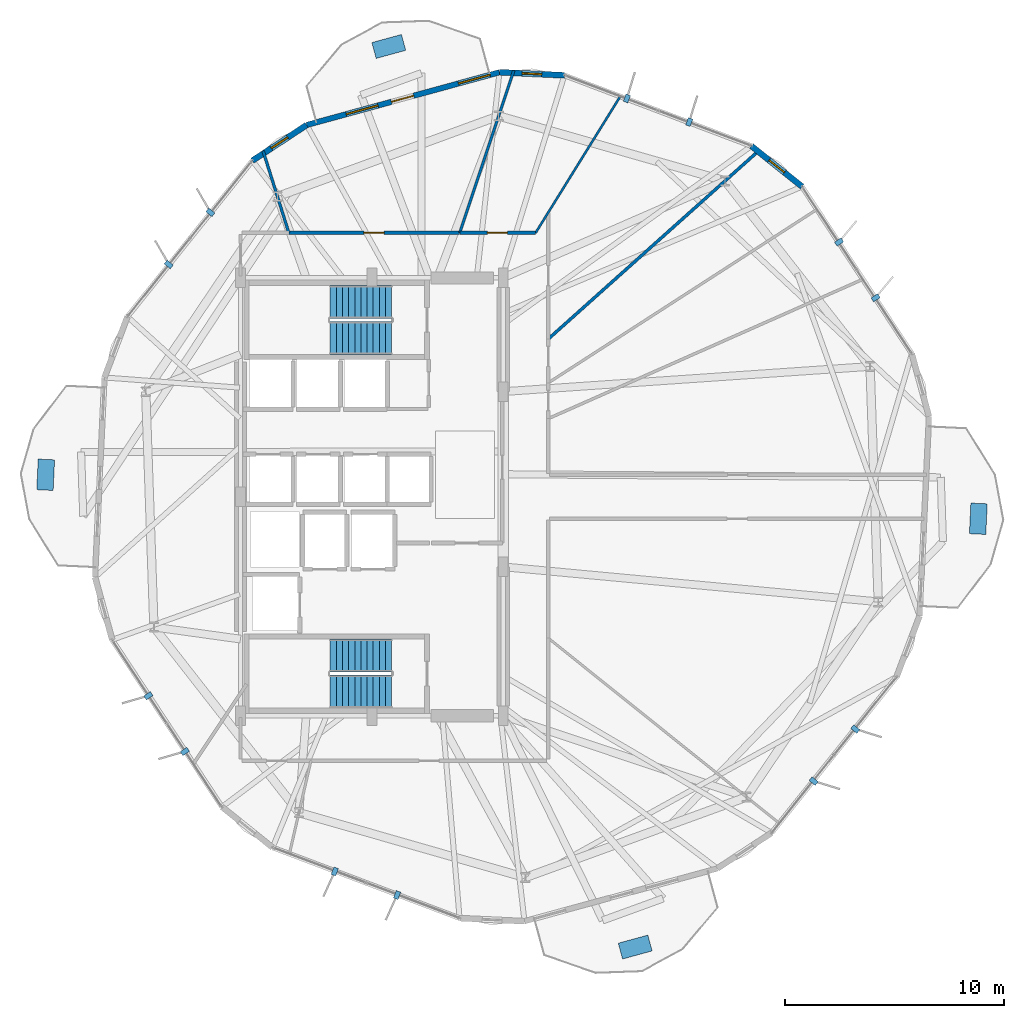
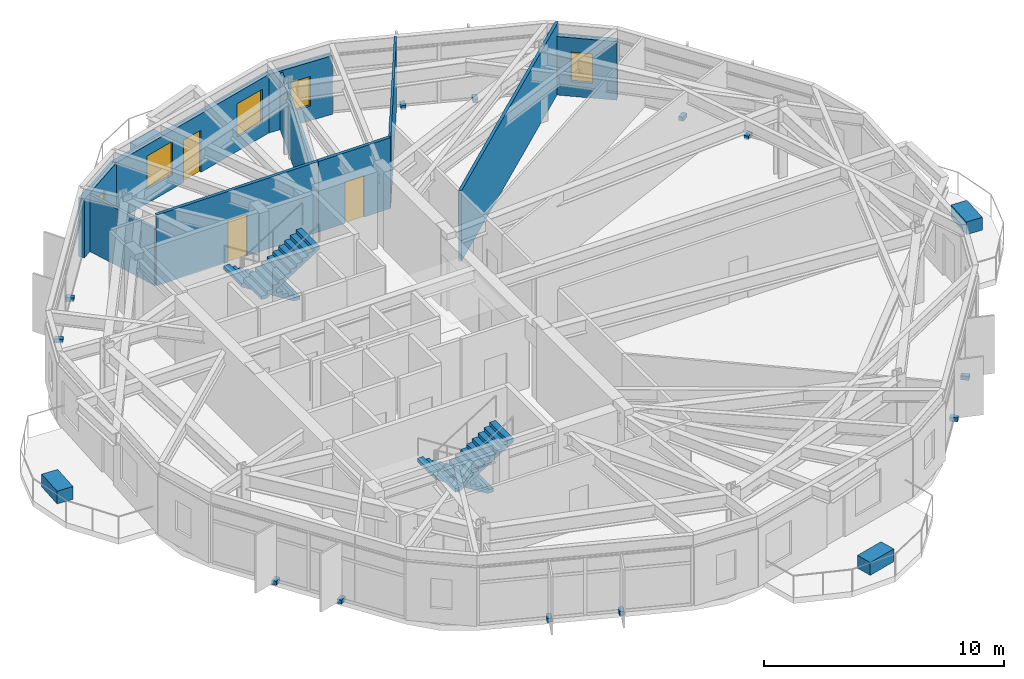
# One storey, part 22 of 25: 16 discrete accessories, 10 walls, 5 windows, 4 stair flights, 3 doors, 8 openings, 2 elements without a shape of their own.
"""IFC4 building model written with IfcOpenShell, lengths in metres."""

from ifc_helpers import new_model, si_unit, direction, frame, frame_2d, origin, origin_2d, place, context, subcontext, project, spatial, polyline, rectangle, outline, extrude, material, layer, layer_set, type_object, element, fill, aggregate, save


model = new_model("IFC4")

# Units and contexts
model_context = context("Model", 3, precision=1e-05, world=origin(), true_north=direction((0.0, 1.0)))
body_context = subcontext(model_context, "Body", "Model", "MODEL_VIEW")
ifc_project = project(units=[si_unit("LENGTHUNIT", "METRE"), si_unit("AREAUNIT", "SQUARE_METRE"), si_unit("VOLUMEUNIT", "CUBIC_METRE"), si_unit("PLANEANGLEUNIT", "RADIAN"), si_unit("MASSUNIT", "GRAM", prefix="KILO")], contexts=[model_context])

# Site, building, storey
site_placement = place(None, origin())
site = spatial("IfcSite", under=ifc_project, at=site_placement, CompositionType="ELEMENT")
building_placement = place(site_placement, origin())
building = spatial("IfcBuilding", under=site, at=building_placement, Name="Soratama Intermodal Tower", CompositionType="ELEMENT")
storey_placement = place(building_placement, frame((0.0, 0.0, 87.39990234375)))
storey = spatial("IfcBuildingStorey", under=building, at=storey_placement, Name="L20", CompositionType="ELEMENT", Elevation=87.39990234375)

# Wall, openings, door, windows
ifc_material_1 = material(Name="Concrete f'c 42 MPa", Category="concrete")
ifc_layer_1 = layer(ifc_material_1, 0.25)
ifc_layer_set_1 = layer_set([ifc_layer_1], Name="Concrete f'c 42 MPa")
wall_type_1 = type_object("IfcWallType", Name="EW-BAL-250", PredefinedType="SOLIDWALL", material=ifc_layer_set_1)
wall_1_placement = place(storey_placement, frame((44.42919921875, 44.385498046875, 0.0), z_axis=(0.0, 0.0, 1.0), x_axis=(-0.964553074607, -0.263888927894, 0.0)))
wall_1 = element("IfcWall", 1, at=wall_1_placement, inside=storey, type_object=wall_type_1, Name="L20 Terrace Wall F03", PredefinedType="SOLIDWALL", context=body_context, shape_type="SweptSolid", body=[
    extrude(rectangle(XDim=9.129638671875, YDim=0.25, at=frame_2d((4.56494140625, 0.0))), origin(), (0.0, 0.0, 1.0), 2.97900390625),
])
opening_1_placement = place(wall_1_placement, frame((4.064697265625, 0.0, 0.0)))
opening_1 = element("IfcOpeningElement", 2, at=opening_1_placement, cuts=wall_1, Name="Opening ED-5", PredefinedType="OPENING", context=body_context, shape_type="SweptSolid", body=[
    extrude(rectangle(XDim=1.050048828125, YDim=2.14990234375, at=frame_2d((0.52490234375, 1.074951171875))), frame((0.0, 0.135009765625, 0.0), z_axis=(0.0, -1.0, 0.0), x_axis=(1.0, 0.0, 0.0)), (0.0, 0.0, 1.0), 0.27001953125),
])
opening_2_placement = place(wall_1_placement, frame((0.43994140625, 0.0, 0.719970703125)))
opening_2 = element("IfcOpeningElement", 3, at=opening_2_placement, cuts=wall_1, Name="Opening WN-1", PredefinedType="OPENING", context=body_context, shape_type="SweptSolid", body=[
    extrude(rectangle(XDim=1.5, YDim=1.699951171875, at=frame_2d((0.75, 0.85009765625))), frame((0.0, 0.135009765625, 0.0), z_axis=(0.0, -1.0, 0.0), x_axis=(1.0, 0.0, 0.0)), (0.0, 0.0, 1.0), 0.27001953125),
])
opening_3_placement = place(wall_1_placement, frame((5.7548828125, 0.0, 0.719970703125)))
opening_3 = element("IfcOpeningElement", 4, at=opening_3_placement, cuts=wall_1, Name="Opening WN-1", PredefinedType="OPENING", context=body_context, shape_type="SweptSolid", body=[
    extrude(rectangle(XDim=1.5, YDim=1.699951171875, at=frame_2d((0.75, 0.85009765625))), frame((0.0, 0.135009765625, 0.0), z_axis=(0.0, -1.0, 0.0), x_axis=(1.0, 0.0, 0.0)), (0.0, 0.0, 1.0), 0.27001953125),
])
ifc_material_2 = material(Name="Double-glazed aluminium door", Category="aluminium")
door_type_1 = type_object("IfcDoorType", Name="DR-BAL-1050", OperationType="NOTDEFINED", PredefinedType="DOOR", material=ifc_material_2)
door_1_placement = place(opening_1_placement, origin())
door_1 = element("IfcDoor", 5, at=door_1_placement, inside=storey, type_object=door_type_1, Name="L20 Balcony Door F03", OperationType="SINGLE_SWING_LEFT", OverallHeight=2.14990234375, OverallWidth=1.050048828125, PredefinedType="DOOR", context=body_context, shape_type="SweptSolid", body=[
    extrude(rectangle(XDim=1.050048828125, YDim=2.14990234375, at=frame_2d((0.52490234375, 1.074951171875))), frame((0.0, 0.02490234375, 0.0), z_axis=(0.0, -1.0, 0.0), x_axis=(1.0, 0.0, 0.0)), (0.0, 0.0, 1.0), 0.050048828125),
])
fill(opening_1, door_1)
ifc_material_3 = material(Name="Double-glazed aluminium window", Category="aluminium")
window_type_1 = type_object("IfcWindowType", Name="WN-FAC-1500", PartitioningType="SINGLE_PANEL", PredefinedType="WINDOW", material=ifc_material_3)
window_1_placement = place(opening_2_placement, origin())
window_1 = element("IfcWindow", 6, at=window_1_placement, inside=storey, type_object=window_type_1, Name="L20 Window A F03", OverallHeight=1.699951171875, OverallWidth=1.5, PartitioningType="SINGLE_PANEL", PredefinedType="WINDOW", context=body_context, shape_type="SweptSolid", body=[
    extrude(rectangle(XDim=1.5, YDim=1.699951171875, at=frame_2d((0.75, 0.85009765625))), frame((0.0, 0.030029296875, 0.0), z_axis=(0.0, -1.0, 0.0), x_axis=(1.0, 0.0, 0.0)), (0.0, 0.0, 1.0), 0.06005859375),
])
fill(opening_2, window_1)
window_2_placement = place(opening_3_placement, origin())
window_2 = element("IfcWindow", 7, at=window_2_placement, inside=storey, type_object=window_type_1, Name="L20 Window B F03", OverallHeight=1.699951171875, OverallWidth=1.5, PartitioningType="SINGLE_PANEL", PredefinedType="WINDOW", context=body_context, shape_type="SweptSolid", body=[
    extrude(rectangle(XDim=1.5, YDim=1.699951171875, at=frame_2d((0.75, 0.85009765625))), frame((0.0, 0.030029296875, 0.0), z_axis=(0.0, -1.0, 0.0), x_axis=(1.0, 0.0, 0.0)), (0.0, 0.0, 1.0), 0.06005859375),
])
fill(opening_3, window_2)

# Wall, opening, window
ifc_material_4 = material(Name="Concrete f'c 42 MPa", Category="concrete")
ifc_layer_2 = layer(ifc_material_4, 0.27001953125)
ifc_layer_set_2 = layer_set([ifc_layer_2], Name="Concrete f'c 42 MPa")
wall_type_2 = type_object("IfcWallType", Name="EW-CRN-270", PredefinedType="SOLIDWALL", material=ifc_layer_set_2)
wall_2_placement = place(storey_placement, frame((58.247802734375, 39.163818359375, 0.0), z_axis=(0.0, 0.0, 1.0), x_axis=(-0.780443081308, 0.625226836307, 0.0)))
wall_2 = element("IfcWall", 8, at=wall_2_placement, inside=storey, type_object=wall_type_2, Name="L20 Corner Closure Wall 01", PredefinedType="SOLIDWALL", context=body_context, shape_type="SweptSolid", body=[
    extrude(rectangle(XDim=2.966552734375, YDim=0.27001953125, at=frame_2d((1.4833984375, 0.0))), origin(), (0.0, 0.0, 1.0), 2.97900390625),
])
opening_4_placement = place(wall_2_placement, frame((1.033203125, 0.0, 0.75)))
opening_4 = element("IfcOpeningElement", 9, at=opening_4_placement, cuts=wall_2, Name="Opening WN-6", PredefinedType="OPENING", context=body_context, shape_type="SweptSolid", body=[
    extrude(rectangle(XDim=0.89990234375, YDim=1.5, at=frame_2d((0.449951171875, 0.75))), frame((0.0, 0.14501953125, 0.0), z_axis=(0.0, -1.0, 0.0), x_axis=(1.0, 0.0, 0.0)), (0.0, 0.0, 1.0), 0.2900390625),
])
ifc_material_5 = material(Name="Double-glazed aluminium window", Category="aluminium")
window_type_2 = type_object("IfcWindowType", Name="WN-FAC-900", PartitioningType="SINGLE_PANEL", PredefinedType="WINDOW", material=ifc_material_5)
window_3_placement = place(opening_4_placement, origin())
window_3 = element("IfcWindow", 10, at=window_3_placement, inside=storey, type_object=window_type_2, Name="L20 Corner Window 01", OverallHeight=1.5, OverallWidth=0.89990234375, PartitioningType="SINGLE_PANEL", PredefinedType="WINDOW", context=body_context, shape_type="SweptSolid", body=[
    extrude(rectangle(XDim=0.89990234375, YDim=1.5, at=frame_2d((0.449951171875, 0.75))), frame((0.0, 0.030029296875, 0.0), z_axis=(0.0, -1.0, 0.0), x_axis=(1.0, 0.0, 0.0)), (0.0, 0.0, 1.0), 0.06005859375),
])
fill(opening_4, window_3)

wall_3_placement = place(storey_placement, frame((47.392578125, 44.24560546875, 0.0), z_axis=(0.0, 0.0, 1.0), x_axis=(-0.998887602896, 0.04715460508, 0.0)))
wall_3 = element("IfcWall", 11, at=wall_3_placement, inside=storey, type_object=wall_type_2, Name="L20 Corner Closure Wall 02", PredefinedType="SOLIDWALL", context=body_context, shape_type="SweptSolid", body=[
    extrude(rectangle(XDim=2.966796875, YDim=0.27001953125, at=frame_2d((1.4833984375, 0.0))), origin(), (0.0, 0.0, 1.0), 2.97900390625),
])
opening_5_placement = place(wall_3_placement, frame((1.033203125, 0.0, 0.75)))
opening_5 = element("IfcOpeningElement", 12, at=opening_5_placement, cuts=wall_3, Name="Opening WN-6", PredefinedType="OPENING", context=body_context, shape_type="SweptSolid", body=[
    extrude(rectangle(XDim=0.89990234375, YDim=1.5, at=frame_2d((0.449951171875, 0.75))), frame((0.0, 0.14501953125, 0.0), z_axis=(0.0, -1.0, 0.0), x_axis=(1.0, 0.0, 0.0)), (0.0, 0.0, 1.0), 0.2900390625),
])
window_4_placement = place(opening_5_placement, origin())
window_4 = element("IfcWindow", 13, at=window_4_placement, inside=storey, type_object=window_type_2, Name="L20 Corner Window 02", OverallHeight=1.5, OverallWidth=0.89990234375, PartitioningType="SINGLE_PANEL", PredefinedType="WINDOW", context=body_context, shape_type="SweptSolid", body=[
    extrude(rectangle(XDim=0.89990234375, YDim=1.5, at=frame_2d((0.449951171875, 0.75))), frame((0.0, 0.030029296875, 0.0), z_axis=(0.0, -1.0, 0.0), x_axis=(1.0, 0.0, 0.0)), (0.0, 0.0, 1.0), 0.06005859375),
])
fill(opening_5, window_4)

wall_4_placement = place(storey_placement, frame((35.623291015625, 41.976318359375, 0.0), z_axis=(0.0, 0.0, 1.0), x_axis=(-0.835816616247, -0.549008728533, 0.0)))
wall_4 = element("IfcWall", 14, at=wall_4_placement, inside=storey, type_object=wall_type_2, Name="L20 Corner Closure Wall 03", PredefinedType="SOLIDWALL", context=body_context, shape_type="SweptSolid", body=[
    extrude(rectangle(XDim=2.966552734375, YDim=0.27001953125, at=frame_2d((1.4833984375, 0.0))), origin(), (0.0, 0.0, 1.0), 2.97900390625),
])
opening_6_placement = place(wall_4_placement, frame((1.033203125, 0.0, 0.75)))
opening_6 = element("IfcOpeningElement", 15, at=opening_6_placement, cuts=wall_4, Name="Opening WN-6", PredefinedType="OPENING", context=body_context, shape_type="SweptSolid", body=[
    extrude(rectangle(XDim=0.89990234375, YDim=1.5, at=frame_2d((0.449951171875, 0.75))), frame((0.0, 0.14501953125, 0.0), z_axis=(0.0, -1.0, 0.0), x_axis=(1.0, 0.0, 0.0)), (0.0, 0.0, 1.0), 0.2900390625),
])
window_5_placement = place(opening_6_placement, origin())
window_5 = element("IfcWindow", 16, at=window_5_placement, inside=storey, type_object=window_type_2, Name="L20 Corner Window 03", OverallHeight=1.5, OverallWidth=0.89990234375, PartitioningType="SINGLE_PANEL", PredefinedType="WINDOW", context=body_context, shape_type="SweptSolid", body=[
    extrude(rectangle(XDim=0.89990234375, YDim=1.5, at=frame_2d((0.449951171875, 0.75))), frame((0.0, 0.030029296875, 0.0), z_axis=(0.0, -1.0, 0.0), x_axis=(1.0, 0.0, 0.0)), (0.0, 0.0, 1.0), 0.06005859375),
])
fill(opening_6, window_5)

# Wall, opening, door
ifc_material_6 = material(Name="Fire-rated gypsum stud partition", Category="concrete")
ifc_layer_3 = layer(ifc_material_6, 0.14990234375)
ifc_layer_set_3 = layer_set([ifc_layer_3], Name="Fire-rated gypsum stud partition")
wall_type_3 = type_object("IfcWallType", Name="IW-PART-R150", PredefinedType="PARTITIONING", material=ifc_layer_set_3)
wall_5_placement = place(storey_placement, frame((34.81005859375, 37.050048828125, 0.0), z_axis=(0.0, 0.0, 1.0), x_axis=(1.0, 0.0, 0.0)))
wall_5 = element("IfcWall", 17, at=wall_5_placement, inside=storey, type_object=wall_type_3, Name="L20 Partition W-L20-TP009", PredefinedType="PARTITIONING", context=body_context, shape_type="SweptSolid", body=[
    extrude(rectangle(XDim=7.803955078125, YDim=0.14990234375, at=frame_2d((3.90185546875, 0.0))), origin(), (0.0, 0.0, 1.0), 3.60009765625),
])
opening_7_placement = place(wall_5_placement, frame((3.427001953125, 0.0, 0.0)))
opening_7 = element("IfcOpeningElement", 18, at=opening_7_placement, cuts=wall_5, Name="Opening ID-6", PredefinedType="OPENING", context=body_context, shape_type="SweptSolid", body=[
    extrude(rectangle(XDim=0.919921875, YDim=2.1201171875, at=frame_2d((0.4599609375, 1.06005859375))), frame((0.0, 0.0849609375, 0.0), z_axis=(0.0, -1.0, 0.0), x_axis=(1.0, 0.0, 0.0)), (0.0, 0.0, 1.0), 0.169921875),
])
ifc_material_7 = material(Name="Solid hardwood acoustic door", Category="wood")
door_type_2 = type_object("IfcDoorType", Name="DR-ROOM-920", OperationType="NOTDEFINED", PredefinedType="DOOR", material=ifc_material_7)
door_2_placement = place(opening_7_placement, origin())
door_2 = element("IfcDoor", 19, at=door_2_placement, inside=storey, type_object=door_type_2, Name="L20 Door D-L20-TP004", OperationType="SINGLE_SWING_LEFT", OverallHeight=2.1201171875, OverallWidth=0.919921875, PredefinedType="DOOR", context=body_context, shape_type="SweptSolid", body=[
    extrude(rectangle(XDim=0.919921875, YDim=2.1201171875, at=frame_2d((0.4599609375, 1.06005859375))), frame((0.0, 0.02490234375, 0.0), z_axis=(0.0, -1.0, 0.0), x_axis=(1.0, 0.0, 0.0)), (0.0, 0.0, 1.0), 0.050048828125),
])
fill(opening_7, door_2)

wall_6_placement = place(storey_placement, frame((42.614013671875, 37.050048828125, 0.0), z_axis=(0.0, 0.0, 1.0), x_axis=(1.0, 0.0, 0.0)))
wall_6 = element("IfcWall", 20, at=wall_6_placement, inside=storey, type_object=wall_type_3, Name="L20 Partition W-L20-TP018", PredefinedType="PARTITIONING", context=body_context, shape_type="SweptSolid", body=[
    extrude(rectangle(XDim=3.462890625, YDim=0.14990234375, at=frame_2d((1.7314453125, 0.0))), origin(), (0.0, 0.0, 1.0), 3.60009765625),
])
opening_8_placement = place(wall_6_placement, frame((1.257080078125, 0.0, 0.0)))
opening_8 = element("IfcOpeningElement", 21, at=opening_8_placement, cuts=wall_6, Name="Opening ID-6", PredefinedType="OPENING", context=body_context, shape_type="SweptSolid", body=[
    extrude(rectangle(XDim=0.919921875, YDim=2.1201171875, at=frame_2d((0.4599609375, 1.06005859375))), frame((0.0, 0.0849609375, 0.0), z_axis=(0.0, -1.0, 0.0), x_axis=(1.0, 0.0, 0.0)), (0.0, 0.0, 1.0), 0.169921875),
])
door_3_placement = place(opening_8_placement, origin())
door_3 = element("IfcDoor", 22, at=door_3_placement, inside=storey, type_object=door_type_2, Name="L20 Door D-L20-TP007", OperationType="SINGLE_SWING_RIGHT", OverallHeight=2.1201171875, OverallWidth=0.919921875, PredefinedType="DOOR", context=body_context, shape_type="SweptSolid", body=[
    extrude(rectangle(XDim=0.919921875, YDim=2.1201171875, at=frame_2d((0.4599609375, 1.06005859375))), frame((0.0, 0.02490234375, 0.0), z_axis=(0.0, -1.0, 0.0), x_axis=(1.0, 0.0, 0.0)), (0.0, 0.0, 1.0), 0.050048828125),
])
fill(opening_8, door_3)

# Walls
ifc_material_8 = material(Name="Fire-rated gypsum stud partition", Category="concrete")
ifc_layer_4 = layer(ifc_material_8, 0.10009765625)
ifc_layer_set_4 = layer_set([ifc_layer_4], Name="Fire-rated gypsum stud partition")
wall_type_4 = type_object("IfcWallType", Name="IW-PART-S100", PredefinedType="PARTITIONING", material=ifc_layer_set_4)
wall_7_placement = place(storey_placement, frame((46.076904296875, 37.050048828125, 0.0), z_axis=(0.0, 0.0, 1.0), x_axis=(0.527273368445, 0.849695707256, 0.0)))
element("IfcWall", 23, at=wall_7_placement, inside=storey, type_object=wall_type_4, Name="L20 Partition W-L20-TP010", PredefinedType="PARTITIONING", context=body_context, shape_type="SweptSolid", body=[
    extrude(rectangle(XDim=7.334228515625, YDim=0.10009765625, at=frame_2d((3.6669921875, 0.0))), origin(), (0.0, 0.0, 1.0), 3.60009765625),
])
ifc_material_9 = material(Name="Fire-rated gypsum stud partition", Category="concrete")
ifc_layer_5 = layer(ifc_material_9, 0.1201171875)
ifc_layer_set_5 = layer_set([ifc_layer_5], Name="Fire-rated gypsum stud partition")
wall_type_5 = type_object("IfcWallType", Name="IW-PART-S120", PredefinedType="PARTITIONING", material=ifc_layer_set_5)
wall_8_placement = place(storey_placement, frame((42.614013671875, 37.050048828125, 0.0), z_axis=(0.0, 0.0, 1.0), x_axis=(0.316115189383, 0.948720816174, 0.0)))
element("IfcWall", 24, at=wall_8_placement, inside=storey, type_object=wall_type_5, Name="L20 Partition W-L20-TP008", PredefinedType="PARTITIONING", context=body_context, shape_type="SweptSolid", body=[
    extrude(rectangle(XDim=7.807373046875, YDim=0.1201171875, at=frame_2d((3.90380859375, 0.0))), origin(), (0.0, 0.0, 1.0), 2.89501953125),
])
ifc_material_10 = material(Name="Fire-rated gypsum stud partition", Category="concrete")
ifc_layer_6 = layer(ifc_material_10, 0.1298828125)
ifc_layer_set_6 = layer_set([ifc_layer_6], Name="Fire-rated gypsum stud partition")
wall_type_6 = type_object("IfcWallType", Name="IW-PART-S130", PredefinedType="PARTITIONING", material=ifc_layer_set_6)
wall_9_placement = place(storey_placement, frame((34.81005859375, 37.050048828125, 0.0), z_axis=(0.0, 0.0, 1.0), x_axis=(-0.300049924384, 0.953923499489, 0.0)))
element("IfcWall", 25, at=wall_9_placement, inside=storey, type_object=wall_type_6, Name="L20 Partition W-L20-TP017", PredefinedType="PARTITIONING", context=body_context, shape_type="SweptSolid", body=[
    extrude(rectangle(XDim=3.922607421875, YDim=0.1298828125, at=frame_2d((1.96142578125, 0.0))), origin(), (0.0, 0.0, 1.0), 2.89501953125),
])
ifc_material_11 = material(Name="Fire-rated gypsum stud partition", Category="concrete")
ifc_layer_7 = layer(ifc_material_11, 0.139892578125)
ifc_layer_set_7 = layer_set([ifc_layer_7], Name="Fire-rated gypsum stud partition")
wall_type_7 = type_object("IfcWallType", Name="IW-PART-S140", PredefinedType="PARTITIONING", material=ifc_layer_set_7)
wall_10_placement = place(storey_placement, frame((46.64990234375, 32.198974609375, 0.0), z_axis=(0.0, 0.0, 1.0), x_axis=(0.745385521988, 0.666633650223, 0.0)))
element("IfcWall", 26, at=wall_10_placement, inside=storey, type_object=wall_type_7, Name="L20 Partition W-L20-TP006", PredefinedType="PARTITIONING", context=body_context, shape_type="SweptSolid", body=[
    extrude(rectangle(XDim=12.927490234375, YDim=0.139892578125, at=frame_2d((6.4638671875, 0.0))), origin(), (0.0, 0.0, 1.0), 3.60009765625),
])

# Stair, stair flights
ifc_material_12 = material(Name="Concrete f'c 42 MPa", Category="concrete")
stair_type = type_object("IfcStairType", Name="ST-CORE-DOGLEG", PredefinedType="HALF_TURN_STAIR", material=ifc_material_12)
stair_1_placement = place(storey_placement, origin())
stair_1 = element("IfcStair", 27, at=stair_1_placement, inside=storey, type_object=stair_type, Name="L20 ST-1", PredefinedType="HALF_TURN_STAIR")
ifc_material_13 = material(Name="Precast concrete f'c 40 MPa", Category="concrete")
ifc_layer_8 = layer(ifc_material_13, 0.199951171875)
ifc_layer_set_8 = layer_set([ifc_layer_8], Name="Precast concrete f'c 40 MPa")
stair_flight_type = type_object("IfcStairFlightType", Name="SF-FLIGHT-RC", PredefinedType="STRAIGHT", material=ifc_layer_set_8)
stair_flight_1_placement = place(storey_placement, frame((39.5, 17.75, 0.0), z_axis=(0.0, 0.0, 1.0), x_axis=(-1.0, 0.0, 0.0)))
stair_flight_1 = element("IfcStairFlight", 28, at=stair_flight_1_placement, type_object=stair_flight_type, Name="ST-1 flight 1", NumberOfRisers=11, NumberOfTreads=10, PredefinedType="STRAIGHT", RiserHeight=0.177272727, TreadLength=0.28, context=body_context, shape_type="SweptSolid", body=[
    extrude(outline(polyline([(0.0, 0.0), (0.0, 0.17724609375), (0.280029296875, 0.17724609375), (0.280029296875, 0.3544921875), (0.56005859375, 0.3544921875), (0.56005859375, 0.53173828125), (0.840087890625, 0.53173828125), (0.840087890625, 0.708984375), (1.1201171875, 0.708984375), (1.1201171875, 0.886474609375), (1.39990234375, 0.886474609375), (1.39990234375, 1.063720703125), (1.679931640625, 1.063720703125), (1.679931640625, 1.240966796875), (1.9599609375, 1.240966796875), (1.9599609375, 1.418212890625), (2.239990234375, 1.418212890625), (2.239990234375, 1.595458984375), (2.52001953125, 1.595458984375), (2.52001953125, 1.772705078125), (2.800048828125, 1.772705078125), (2.800048828125, 1.949951171875), (2.800048828125, 1.59521484375), (0.2802734375, 0.0), (0.0, 0.0)])), frame((0.0, 0.75, 0.0), z_axis=(0.0, -1.0, 0.0), x_axis=(1.0, 0.0, 0.0)), (0.0, 0.0, 1.0), 1.5),
])
stair_flight_2_placement = place(storey_placement, frame((36.699951171875, 16.10009765625, 1.9501953125), z_axis=(0.0, 0.0, 1.0), x_axis=(1.0, 0.0, 0.0)))
stair_flight_2 = element("IfcStairFlight", 29, at=stair_flight_2_placement, type_object=stair_flight_type, Name="ST-1 flight 2", NumberOfRisers=11, NumberOfTreads=10, PredefinedType="STRAIGHT", RiserHeight=0.177272727, TreadLength=0.28, context=body_context, shape_type="SweptSolid", body=[
    extrude(outline(polyline([(0.0, 0.0), (0.0, 0.17724609375), (0.280029296875, 0.17724609375), (0.280029296875, 0.3544921875), (0.56005859375, 0.3544921875), (0.56005859375, 0.53173828125), (0.840087890625, 0.53173828125), (0.840087890625, 0.708984375), (1.1201171875, 0.708984375), (1.1201171875, 0.886474609375), (1.39990234375, 0.886474609375), (1.39990234375, 1.063720703125), (1.679931640625, 1.063720703125), (1.679931640625, 1.240966796875), (1.9599609375, 1.240966796875), (1.9599609375, 1.418212890625), (2.239990234375, 1.418212890625), (2.239990234375, 1.595458984375), (2.52001953125, 1.595458984375), (2.52001953125, 1.772705078125), (2.800048828125, 1.772705078125), (2.800048828125, 1.949951171875), (2.800048828125, 1.59521484375), (0.2802734375, 0.0), (0.0, 0.0)])), frame((0.0, 0.75, 0.0), z_axis=(0.0, -1.0, 0.0), x_axis=(1.0, 0.0, 0.0)), (0.0, 0.0, 1.0), 1.5),
])
aggregate(stair_1, [stair_flight_1, stair_flight_2])

stair_2_placement = place(storey_placement, origin())
stair_2 = element("IfcStair", 30, at=stair_2_placement, inside=storey, type_object=stair_type, Name="L20 ST-2", PredefinedType="HALF_TURN_STAIR")
stair_flight_3_placement = place(storey_placement, frame((39.5, 33.89990234375, 0.0), z_axis=(0.0, 0.0, 1.0), x_axis=(-1.0, 0.0, 0.0)))
stair_flight_3 = element("IfcStairFlight", 31, at=stair_flight_3_placement, type_object=stair_flight_type, Name="ST-2 flight 1", NumberOfRisers=11, NumberOfTreads=10, PredefinedType="STRAIGHT", RiserHeight=0.177272727, TreadLength=0.28, context=body_context, shape_type="SweptSolid", body=[
    extrude(outline(polyline([(0.0, 0.0), (0.0, 0.17724609375), (0.280029296875, 0.17724609375), (0.280029296875, 0.3544921875), (0.56005859375, 0.3544921875), (0.56005859375, 0.53173828125), (0.840087890625, 0.53173828125), (0.840087890625, 0.708984375), (1.1201171875, 0.708984375), (1.1201171875, 0.886474609375), (1.39990234375, 0.886474609375), (1.39990234375, 1.063720703125), (1.679931640625, 1.063720703125), (1.679931640625, 1.240966796875), (1.9599609375, 1.240966796875), (1.9599609375, 1.418212890625), (2.239990234375, 1.418212890625), (2.239990234375, 1.595458984375), (2.52001953125, 1.595458984375), (2.52001953125, 1.772705078125), (2.800048828125, 1.772705078125), (2.800048828125, 1.949951171875), (2.800048828125, 1.59521484375), (0.2802734375, 0.0), (0.0, 0.0)])), frame((0.0, 0.75, 0.0), z_axis=(0.0, -1.0, 0.0), x_axis=(1.0, 0.0, 0.0)), (0.0, 0.0, 1.0), 1.5),
])
stair_flight_4_placement = place(storey_placement, frame((36.699951171875, 32.25, 1.9501953125), z_axis=(0.0, 0.0, 1.0), x_axis=(1.0, 0.0, 0.0)))
stair_flight_4 = element("IfcStairFlight", 32, at=stair_flight_4_placement, type_object=stair_flight_type, Name="ST-2 flight 2", NumberOfRisers=11, NumberOfTreads=10, PredefinedType="STRAIGHT", RiserHeight=0.177272727, TreadLength=0.28, context=body_context, shape_type="SweptSolid", body=[
    extrude(outline(polyline([(0.0, 0.0), (0.0, 0.17724609375), (0.280029296875, 0.17724609375), (0.280029296875, 0.3544921875), (0.56005859375, 0.3544921875), (0.56005859375, 0.53173828125), (0.840087890625, 0.53173828125), (0.840087890625, 0.708984375), (1.1201171875, 0.708984375), (1.1201171875, 0.886474609375), (1.39990234375, 0.886474609375), (1.39990234375, 1.063720703125), (1.679931640625, 1.063720703125), (1.679931640625, 1.240966796875), (1.9599609375, 1.240966796875), (1.9599609375, 1.418212890625), (2.239990234375, 1.418212890625), (2.239990234375, 1.595458984375), (2.52001953125, 1.595458984375), (2.52001953125, 1.772705078125), (2.800048828125, 1.772705078125), (2.800048828125, 1.949951171875), (2.800048828125, 1.59521484375), (0.2802734375, 0.0), (0.0, 0.0)])), frame((0.0, 0.75, 0.0), z_axis=(0.0, -1.0, 0.0), x_axis=(1.0, 0.0, 0.0)), (0.0, 0.0, 1.0), 1.5),
])
aggregate(stair_2, [stair_flight_3, stair_flight_4])

# Discrete accessories
ifc_material_14 = material(Name="Structural steel ASTM A992 Grade 50", Category="steel")
discrete_accessory_type_1 = type_object("IfcDiscreteAccessoryType", Name="AC-FIN-BRACKET", PredefinedType="BRACKET", material=ifc_material_14)
for number, where, z_axis, x_axis, name in (
    (33, (61.606201171875, 34.087646484375, -0.080078125), (0.0, 0.0, 1.0), (0.835807361368, 0.549022817998, 0.0), "L20 Fin Bracket F01-1"),
    (34, (59.935302734375, 36.631103515625, -0.080078125), (0.0, 0.0, 1.0), (0.835807361368, 0.549022817998, 0.0), "L20 Fin Bracket F01-2"),
    (35, (53.093017578125, 42.113037109375, -0.080078125), (0.0, 0.0, 1.0), (0.353474843779, 0.93544403083, 0.0), "L20 Fin Bracket F02-1"),
    (36, (50.246337890625, 43.188720703125, -0.080078125), (0.0, 0.0, 1.0), (0.353474843779, 0.93544403083, 0.0), "L20 Fin Bracket F02-2"),
    (37, (31.2255859375, 37.985107421875, -0.080078125), (0.0, 0.0, 1.0), (-0.780430407338, 0.625242656336, 0.0), "L20 Fin Bracket F04-1"),
    (38, (29.32275390625, 35.610107421875, -0.080078125), (0.0, 0.0, 1.0), (-0.780430407338, 0.625242656336, 0.0), "L20 Fin Bracket F04-2"),
    (39, (28.393798828125, 15.912353515625, -0.080078125), (0.0, 0.0, 1.0), (-0.835807361368, -0.549022817998, 0.0), "L20 Fin Bracket F06-1"),
    (40, (30.064697265625, 13.368896484375, -0.080078125), (0.0, 0.0, 1.0), (-0.835807361368, -0.549022817998, 0.0), "L20 Fin Bracket F06-2"),
    (41, (36.906982421875, 7.886962890625, -0.080078125), (0.0, 0.0, 1.0), (-0.353474843779, -0.93544403083, 0.0), "L20 Fin Bracket F07-1"),
    (42, (39.753662109375, 6.811279296875, -0.080078125), (0.0, 0.0, 1.0), (-0.353474843779, -0.93544403083, 0.0), "L20 Fin Bracket F07-2"),
    (43, (58.7744140625, 12.014892578125, -0.080078125), (0.0, 0.0, 1.0), (0.780430407338, -0.625242656336, 0.0), "L20 Fin Bracket F09-1"),
    (44, (60.67724609375, 14.389892578125, -0.080078125), (0.0, 0.0, 1.0), (0.780430407338, -0.625242656336, 0.0), "L20 Fin Bracket F09-2"),
):
    element("IfcDiscreteAccessory", number, at=place(storey_placement, frame(where, z_axis=z_axis, x_axis=x_axis)), inside=storey, type_object=discrete_accessory_type_1, Name=name, PredefinedType="BRACKET", context=body_context, shape_type="SweptSolid", body=[
        extrude(rectangle(XDim=0.360107421875, YDim=0.219970703125, at=origin_2d()), origin(), (0.0, 0.0, 1.0), 0.199951171875),
    ])
ifc_material_15 = material(Name="Precast concrete f'c 40 MPa", Category="concrete")
discrete_accessory_type_2 = type_object("IfcDiscreteAccessoryType", Name="AC-PLANTER-TREE", PredefinedType="USERDEFINED", material=ifc_material_15)
for number, where, z_axis, x_axis, name in (
    (45, (66.295166015625, 23.99560546875, 0.000244140625), (0.0, 0.0, 1.0), (0.998889874962, -0.04710645071, 0.0), "L20 Tree Planter 1"),
    (46, (39.37451171875, 45.563232421875, 0.000244140625), (0.0, 0.0, 1.0), (-0.263873049965, 0.964557418458, 0.0), "L20 Tree Planter 2"),
    (47, (23.704833984375, 26.00439453125, 0.000244140625), (0.0, 0.0, 1.0), (-0.998889874962, 0.04710645071, 0.0), "L20 Tree Planter 3"),
    (48, (50.62548828125, 4.436767578125, 0.000244140625), (0.0, 0.0, 1.0), (0.263873049965, -0.964557418458, 0.0), "L20 Tree Planter 4"),
):
    element("IfcDiscreteAccessory", number, at=place(storey_placement, frame(where, z_axis=z_axis, x_axis=x_axis)), inside=storey, type_object=discrete_accessory_type_2, Name=name, ObjectType="PLANTER", PredefinedType="USERDEFINED", context=body_context, shape_type="SweptSolid", body=[
        extrude(rectangle(XDim=0.75, YDim=1.39990234375, at=origin_2d()), origin(), (0.0, 0.0, 1.0), 0.64990234375),
    ])

save(model, "model.ifc")
